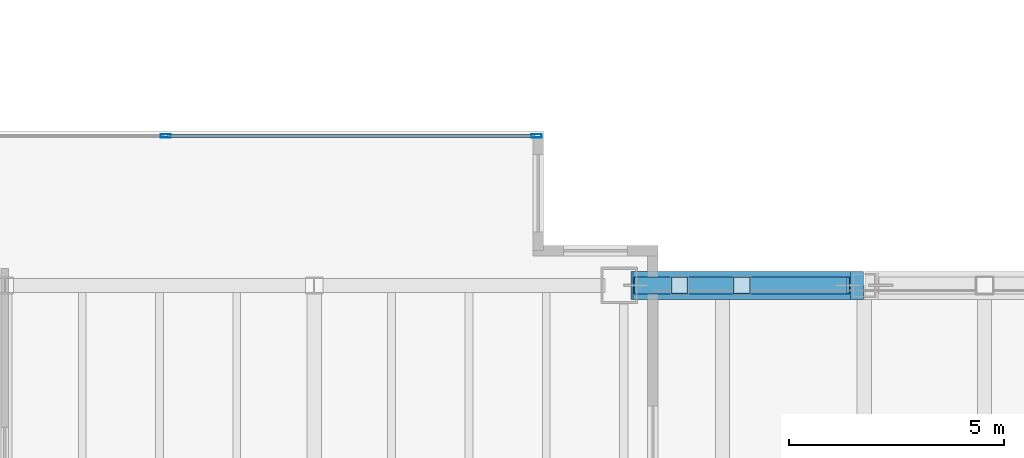
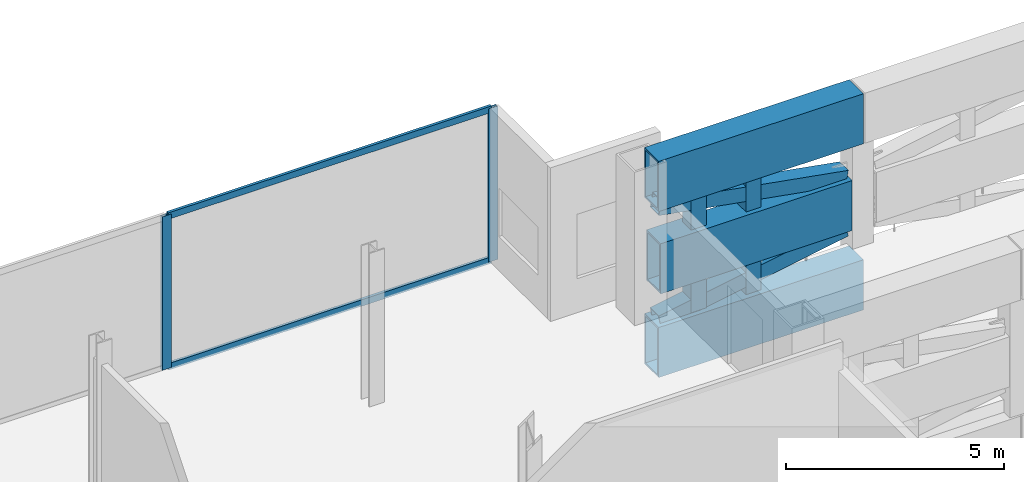
# One storey, part 10 of 20: 8 members, 3 beams, 1 element without a shape of its own.
"""IFC4 building model written with IfcOpenShell, lengths in metres."""

from ifc_helpers import new_model, si_unit, direction, frame, origin, origin_2d, place, context, subcontext, project, spatial, hollow_rectangle, extrude, material, material_profile, profile_set, type_object, element, aggregate, save


model = new_model("IFC4")

# Units and contexts
model_context = context("Model", 3, precision=1e-05, world=origin(), true_north=direction((0.0, 1.0)))
body_context = subcontext(model_context, "Body", "Model", "MODEL_VIEW")
ifc_project = project(units=[si_unit("LENGTHUNIT", "METRE"), si_unit("AREAUNIT", "SQUARE_METRE"), si_unit("VOLUMEUNIT", "CUBIC_METRE"), si_unit("PLANEANGLEUNIT", "RADIAN"), si_unit("MASSUNIT", "GRAM", prefix="KILO")], contexts=[model_context])

# Site, building, storey
site_placement = place(None, origin())
site = spatial("IfcSite", under=ifc_project, at=site_placement, CompositionType="ELEMENT")
building_placement = place(site_placement, origin())
building = spatial("IfcBuilding", under=site, at=building_placement, Name="Cobrela Telecom Tower", CompositionType="ELEMENT")
storey_placement = place(building_placement, frame((0.0, 0.0, 168.699951171875)))
storey = spatial("IfcBuildingStorey", under=building, at=storey_placement, Name="L42", CompositionType="ELEMENT", Elevation=168.699951171875)

# Beams
ifc_material_1 = material(Name="Steel ASTM A572 Grade 50", Category="steel")
ifc_material_profile_1 = material_profile(ifc_material_1, hollow_rectangle(XDim=0.64990234375, YDim=1.39990234375, WallThickness=0.054931640625, at=origin_2d()), Name="BOX 1400x650x55")
ifc_profile_set_1 = profile_set([ifc_material_profile_1], Name="Steel ASTM A572 Grade 50")
beam_type = type_object("IfcBeamType", Name="BM-SP-CHD", PredefinedType="USERDEFINED", material=ifc_profile_set_1)
beam_1_placement = place(storey_placement, frame((43.3701171875, 21.60009765625, -1.050048828125), z_axis=(1.0, 0.0, 0.0), x_axis=(0.0, 1.0, 0.0)))
element("IfcBeam", 1, at=beam_1_placement, inside=storey, type_object=beam_type, Name="L42 Sky Pool Bottom Chord 2.1", ObjectType="GIRDER", PredefinedType="USERDEFINED", context=body_context, shape_type="SweptSolid", body=[
    extrude(hollow_rectangle(XDim=0.64990234375, YDim=1.39990234375, WallThickness=0.054931640625, at=origin_2d()), origin(), (0.0, 0.0, 1.0), 5.409912109375),
])
beam_2_placement = place(storey_placement, frame((43.419921875, 21.60009765625, 1.27001953125), z_axis=(1.0, 0.0, 0.0), x_axis=(0.0, 1.0, 0.0)))
element("IfcBeam", 2, at=beam_2_placement, inside=storey, type_object=beam_type, Name="L42 Sky Pool Mid Chord 2.1", ObjectType="GIRDER", PredefinedType="USERDEFINED", context=body_context, shape_type="SweptSolid", body=[
    extrude(hollow_rectangle(XDim=0.64990234375, YDim=1.39990234375, WallThickness=0.054931640625, at=origin_2d()), origin(), (0.0, 0.0, 1.0), 5.06005859375),
])
beam_3_placement = place(storey_placement, frame((43.3701171875, 21.60009765625, 3.590087890625), z_axis=(1.0, 0.0, 0.0), x_axis=(0.0, 1.0, 0.0)))
element("IfcBeam", 3, at=beam_3_placement, inside=storey, type_object=beam_type, Name="L42 Sky Pool Top Chord 2.1", ObjectType="GIRDER", PredefinedType="USERDEFINED", context=body_context, shape_type="SweptSolid", body=[
    extrude(hollow_rectangle(XDim=0.64990234375, YDim=1.39990234375, WallThickness=0.054931640625, at=origin_2d()), origin(), (0.0, 0.0, 1.0), 5.409912109375),
])

# Curtain wall, members
ifc_material_2 = material(Name="Anodized Bronze Aluminium 6063-T6", Category="aluminium")
curtain_wall_type = type_object("IfcCurtainWallType", Name="CW-SYS-SKY", PredefinedType="USERDEFINED", material=ifc_material_2)
curtain_wall_placement = place(storey_placement, origin())
curtain_wall = element("IfcCurtainWall", 4, at=curtain_wall_placement, inside=storey, type_object=curtain_wall_type, Name="L42 Unitised Bronze Curtain Wall 11", ObjectType="UNITISED CURTAIN WALL", PredefinedType="USERDEFINED")
ifc_material_profile_2 = material_profile(ifc_material_2, hollow_rectangle(XDim=0.080078125, YDim=0.239990234375, WallThickness=0.0048828125, at=origin_2d()), Name="ALU 80x240x5")
ifc_profile_set_2 = profile_set([ifc_material_profile_2], Name="Anodized Bronze Aluminium 6063-T6")
member_type_1 = type_object("IfcMemberType", Name="CW-SYS-SKY-MUL", PredefinedType="MULLION", material=ifc_profile_set_2)
member_1_placement = place(storey_placement, frame((32.544921875, 25.080078125, 0.0), z_axis=(0.0, 0.0, 1.0), x_axis=(0.0, 1.0, 0.0)))
member_1 = element("IfcMember", 5, at=member_1_placement, type_object=member_type_1, Name="CW-SKY mullion 2", PredefinedType="MULLION", context=body_context, shape_type="SweptSolid", body=[
    extrude(hollow_rectangle(XDim=0.080078125, YDim=0.239990234375, WallThickness=0.0048828125, at=origin_2d()), origin(), (0.0, 0.0, 1.0), 4.2900390625),
])
member_2_placement = place(storey_placement, frame((41.169921875, 25.080078125, 0.0), z_axis=(0.0, 0.0, 1.0), x_axis=(0.0, 1.0, 0.0)))
member_2 = element("IfcMember", 6, at=member_2_placement, type_object=member_type_1, Name="CW-SKY mullion 3", PredefinedType="MULLION", context=body_context, shape_type="SweptSolid", body=[
    extrude(hollow_rectangle(XDim=0.080078125, YDim=0.239990234375, WallThickness=0.0048828125, at=origin_2d()), origin(), (0.0, 0.0, 1.0), 4.2900390625),
])
ifc_material_profile_3 = material_profile(ifc_material_2, hollow_rectangle(XDim=0.074951171875, YDim=0.179931640625, WallThickness=0.00390625, at=origin_2d()), Name="ALU 75x180x4")
ifc_profile_set_3 = profile_set([ifc_material_profile_3], Name="Anodized Bronze Aluminium 6063-T6")
member_type_2 = type_object("IfcMemberType", Name="CW-SYS-SKY-TRN", PredefinedType="USERDEFINED", material=ifc_profile_set_3)
member_3_placement = place(storey_placement, frame((32.5849609375, 25.080078125, 0.03759765625), z_axis=(1.0, 0.0, 0.0), x_axis=(0.0, 1.0, 0.0)))
member_3 = element("IfcMember", 7, at=member_3_placement, type_object=member_type_2, Name="CW-SKY transom 2.1", ObjectType="TRANSOM", PredefinedType="USERDEFINED", context=body_context, shape_type="SweptSolid", body=[
    extrude(hollow_rectangle(XDim=0.074951171875, YDim=0.179931640625, WallThickness=0.00390625, at=origin_2d()), origin(), (0.0, 0.0, 1.0), 8.544921875),
])
member_4_placement = place(storey_placement, frame((32.5849609375, 25.080078125, 4.25244140625), z_axis=(1.0, 0.0, 0.0), x_axis=(0.0, 1.0, 0.0)))
member_4 = element("IfcMember", 8, at=member_4_placement, type_object=member_type_2, Name="CW-SKY transom 2.2", ObjectType="TRANSOM", PredefinedType="USERDEFINED", context=body_context, shape_type="SweptSolid", body=[
    extrude(hollow_rectangle(XDim=0.074951171875, YDim=0.179931640625, WallThickness=0.00390625, at=origin_2d()), origin(), (0.0, 0.0, 1.0), 8.544921875),
])
aggregate(curtain_wall, [member_1, member_2, member_3, member_4])

# Members
ifc_material_profile_4 = material_profile(ifc_material_1, hollow_rectangle(XDim=0.39990234375, YDim=0.39990234375, WallThickness=0.02001953125, at=origin_2d()), Name="HSS 400x400x20")
ifc_profile_set_4 = profile_set([ifc_material_profile_4], Name="Steel ASTM A572 Grade 50")
member_type_3 = type_object("IfcMemberType", Name="MBR-SP-POST", PredefinedType="STRUT", material=ifc_profile_set_4)
for number, where, z_axis, x_axis, name in (
    (9, (45.949951171875, 21.60009765625, -0.33984375), (0.0, 0.0, 1.0), (1.0, 0.0, 0.0), "L42 Sky Pool Truss Web Post 2.1"),
    (10, (44.5, 21.60009765625, -0.33984375), (0.0, 0.0, 1.0), (1.0, 0.0, 0.0), "L42 Sky Pool Truss Web Post 2.3"),
):
    element("IfcMember", number, at=place(storey_placement, frame(where, z_axis=z_axis, x_axis=x_axis)), inside=storey, type_object=member_type_3, Name=name, PredefinedType="STRUT", context=body_context, shape_type="SweptSolid", body=[
        extrude(hollow_rectangle(XDim=0.39990234375, YDim=0.39990234375, WallThickness=0.02001953125, at=origin_2d()), origin(), (0.0, 0.0, 1.0), 3.219970703125),
    ])
ifc_material_profile_5 = material_profile(ifc_material_1, hollow_rectangle(XDim=0.39990234375, YDim=0.39990234375, WallThickness=0.02001953125, at=origin_2d()), Name="HSS 400x400x20")
ifc_profile_set_5 = profile_set([ifc_material_profile_5], Name="Steel ASTM A572 Grade 50")
member_type_4 = type_object("IfcMemberType", Name="MBR-SP-WEB", PredefinedType="BRACE", material=ifc_profile_set_5)
member_5_placement = place(storey_placement, frame((43.47998046875, 21.60009765625, -0.329833984375), z_axis=(0.984505064565, 0.0, 0.17535614573), x_axis=(0.0, 1.0, 0.0)))
element("IfcMember", 11, at=member_5_placement, inside=storey, type_object=member_type_4, Name="L42 Sky Pool Truss Web Diagonal 2.1.1", PredefinedType="BRACE", context=body_context, shape_type="SweptSolid", body=[
    extrude(hollow_rectangle(XDim=0.39990234375, YDim=0.39990234375, WallThickness=0.02001953125, at=origin_2d()), origin(), (0.0, 0.0, 1.0), 5.017578125),
])
member_6_placement = place(storey_placement, frame((48.419921875, 21.60009765625, 1.989990234375), z_axis=(-0.984496663587, 0.0, 0.175403304944), x_axis=(0.0, -1.0, 0.0)))
element("IfcMember", 12, at=member_6_placement, inside=storey, type_object=member_type_4, Name="L42 Sky Pool Truss Web Diagonal 2.1.2", PredefinedType="BRACE", context=body_context, shape_type="SweptSolid", body=[
    extrude(hollow_rectangle(XDim=0.39990234375, YDim=0.39990234375, WallThickness=0.02001953125, at=origin_2d()), origin(), (0.0, 0.0, 1.0), 5.017822265625),
])

save(model, "model.ifc")
